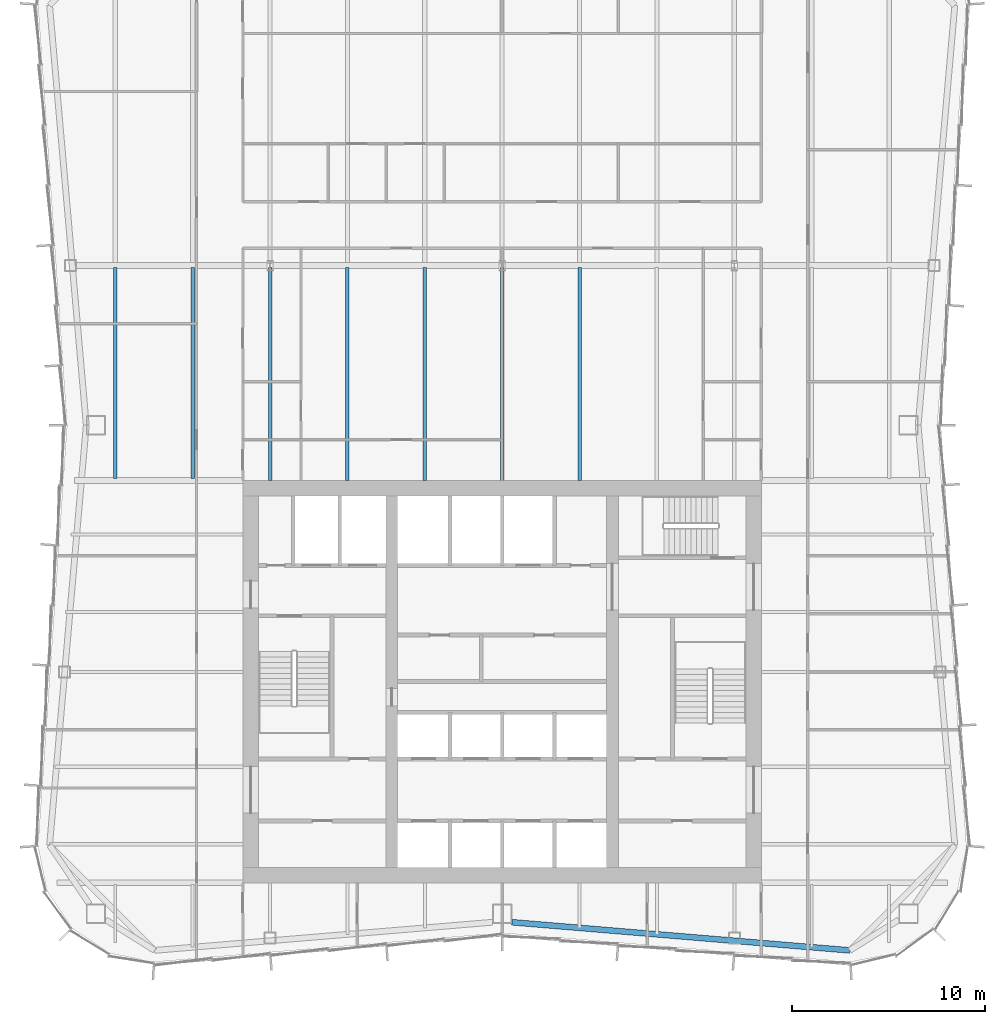
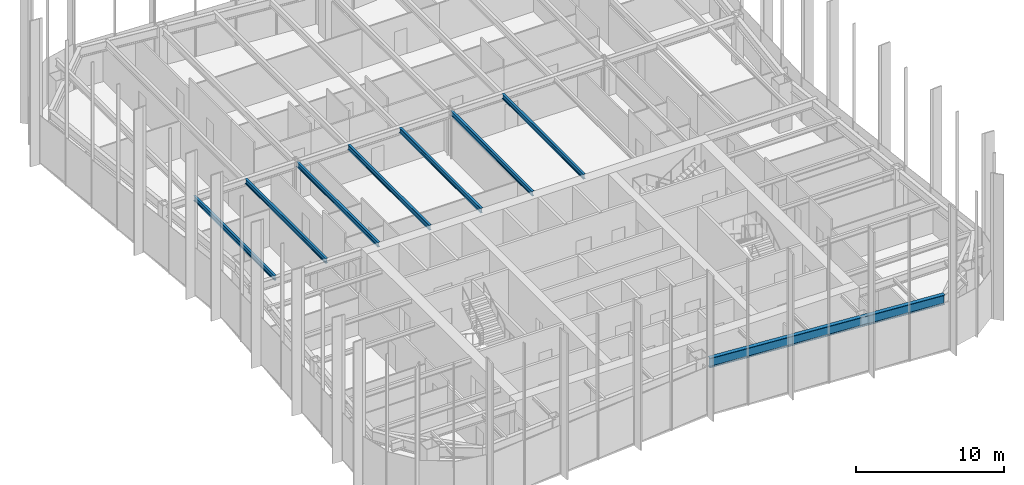
# One storey, part 4 of 15: 8 beams.
"""IFC4 building model written with IfcOpenShell, lengths in metres."""

from ifc_helpers import new_model, si_unit, direction, frame, origin, origin_2d, place, context, subcontext, project, spatial, i_section, extrude, material, material_profile, profile_set, type_object, element, save


model = new_model("IFC4")

# Units and contexts
model_context = context("Model", 3, precision=1e-05, world=origin(), true_north=direction((0.0, 1.0)))
body_context = subcontext(model_context, "Body", "Model", "MODEL_VIEW")
ifc_project = project(units=[si_unit("LENGTHUNIT", "METRE"), si_unit("AREAUNIT", "SQUARE_METRE"), si_unit("VOLUMEUNIT", "CUBIC_METRE"), si_unit("PLANEANGLEUNIT", "RADIAN"), si_unit("MASSUNIT", "GRAM", prefix="KILO")], contexts=[model_context])

# Site, building, storey
site_placement = place(None, origin())
site = spatial("IfcSite", under=ifc_project, at=site_placement, CompositionType="ELEMENT")
building_placement = place(site_placement, origin())
building = spatial("IfcBuilding", under=site, at=building_placement, Name="Verdant Reach Tower", CompositionType="ELEMENT")
storey_placement = place(building_placement, frame((0.0, 0.0, 238.0)))
storey = spatial("IfcBuildingStorey", under=building, at=storey_placement, Name="L54", CompositionType="ELEMENT", Elevation=238.0)

# Beams
ifc_material = material(Name="Steel S355", Category="steel")
ifc_material_profile_1 = material_profile(ifc_material, i_section(OverallWidth=0.179931640625, OverallDepth=0.39990234375, WebThickness=0.008544921875, FlangeThickness=0.013427734375, FilletRadius=0.02099609375, at=origin_2d()), Name="IPE 400")
ifc_profile_set_1 = profile_set([ifc_material_profile_1], Name="Steel S355")
beam_type_1 = type_object("IfcBeamType", Name="ST-JOIST-IPE400", PredefinedType="JOIST", material=ifc_profile_set_1)
for number, where, z_axis, x_axis, name in (
    (1, (-20.0, 38.5, 3.669921875), (0.0, 1.0, 0.0), (-1.0, 0.0, 0.0), "Floor joist, L54"),
    (2, (-16.0, 38.5, 3.669921875), (0.0, 1.0, 0.0), (-1.0, 0.0, 0.0), "Floor joist, L54"),
):
    element("IfcBeam", number, at=place(storey_placement, frame(where, z_axis=z_axis, x_axis=x_axis)), inside=storey, type_object=beam_type_1, Name=name, PredefinedType="JOIST", context=body_context, shape_type="SweptSolid", body=[
        extrude(i_section(OverallWidth=0.179931640625, OverallDepth=0.39990234375, WebThickness=0.008544921875, FlangeThickness=0.013427734375, FilletRadius=0.02099609375, at=origin_2d()), origin(), (0.0, 0.0, 1.0), 10.89990234375),
    ])
for number, where, z_axis, x_axis, name in (
    (3, (-12.0, 38.39990234375, 3.669921875), (0.0, 1.0, 0.0), (-1.0, 0.0, 0.0), "Floor joist, L54"),
    (4, (-8.0, 38.39990234375, 3.669921875), (0.0, 1.0, 0.0), (-1.0, 0.0, 0.0), "Floor joist, L54"),
    (5, (-4.0, 38.39990234375, 3.669921875), (0.0, 1.0, 0.0), (-1.0, 0.0, 0.0), "Floor joist, L54"),
    (6, (0.0, 38.39990234375, 3.669921875), (0.0, 1.0, 0.0), (-1.0, 0.0, 0.0), "Floor joist, L54"),
    (7, (4.0, 38.39990234375, 3.669921875), (0.0, 1.0, 0.0), (-1.0, 0.0, 0.0), "Floor joist, L54"),
):
    element("IfcBeam", number, at=place(storey_placement, frame(where, z_axis=z_axis, x_axis=x_axis)), inside=storey, type_object=beam_type_1, Name=name, PredefinedType="JOIST", context=body_context, shape_type="SweptSolid", body=[
        extrude(i_section(OverallWidth=0.179931640625, OverallDepth=0.39990234375, WebThickness=0.008544921875, FlangeThickness=0.013427734375, FilletRadius=0.02099609375, at=origin_2d()), origin(), (0.0, 0.0, 1.0), 11.0),
    ])
ifc_material_profile_2 = material_profile(ifc_material, i_section(OverallWidth=0.300048828125, OverallDepth=0.800048828125, WebThickness=0.017578125, FlangeThickness=0.032958984375, FilletRadius=0.030029296875, at=origin_2d()), Name="HEB 800")
ifc_profile_set_2 = profile_set([ifc_material_profile_2], Name="Steel S355")
beam_type_2 = type_object("IfcBeamType", Name="ST-SPANDREL-HEB800", PredefinedType="SPANDREL", material=ifc_profile_set_2)
beam_placement = place(storey_placement, frame((17.9658203125, 14.10498046875, 3.469970703125), z_axis=(-0.99654652675, 0.083036257282, 0.0), x_axis=(-0.083036257282, -0.99654652675, 0.0)))
element("IfcBeam", 8, at=beam_placement, inside=storey, type_object=beam_type_2, Name="Edge beam, L54", PredefinedType="SPANDREL", context=body_context, shape_type="SweptSolid", body=[
    extrude(i_section(OverallWidth=0.300048828125, OverallDepth=0.800048828125, WebThickness=0.017578125, FlangeThickness=0.032958984375, FilletRadius=0.030029296875, at=origin_2d()), origin(), (0.0, 0.0, 1.0), 17.5263671875),
])

save(model, "model.ifc")
